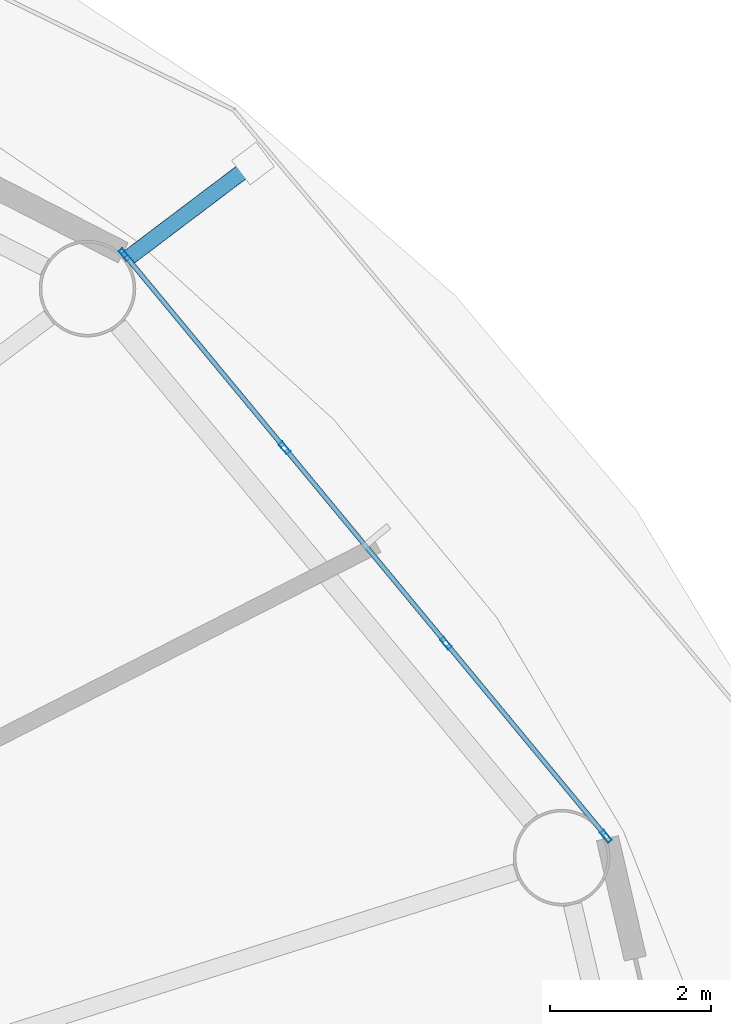
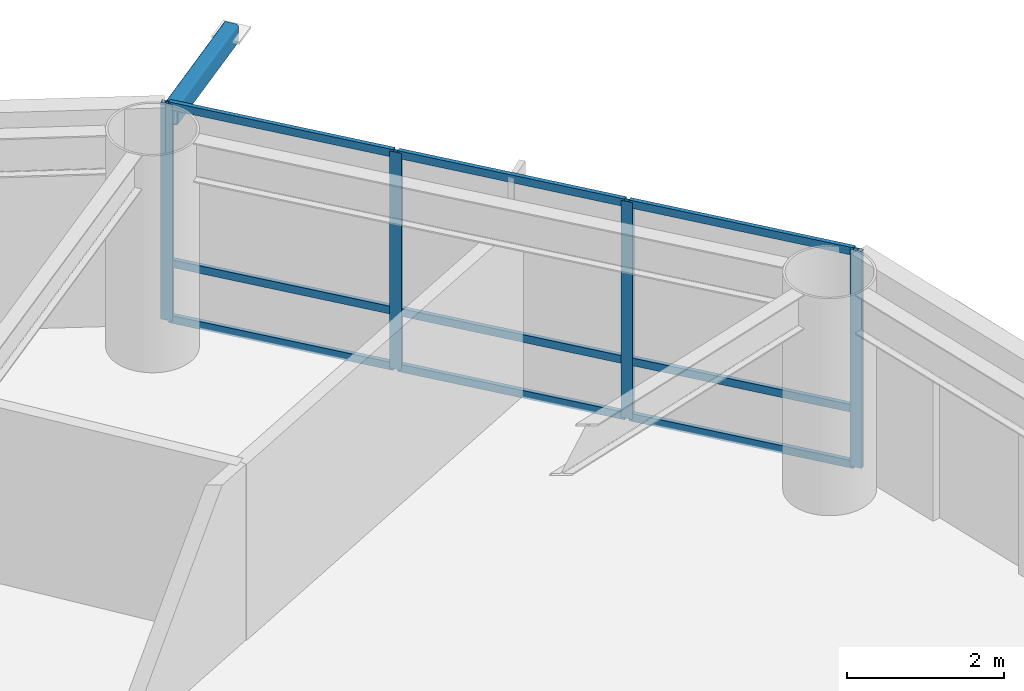
# One storey, part 12 of 24: 14 members, 1 element without a shape of its own.
"""IFC4 building model written with IfcOpenShell, lengths in metres."""

from ifc_helpers import new_model, si_unit, direction, frame, origin, origin_2d, place, context, subcontext, project, spatial, hollow_rectangle, extrude, material, layer, layer_set, material_profile, profile_set, type_object, element, aggregate, save


model = new_model("IFC4")

# Units and contexts
model_context = context("Model", 3, precision=1e-05, world=origin(), true_north=direction((0.0, 1.0)))
body_context = subcontext(model_context, "Body", "Model", "MODEL_VIEW")
ifc_project = project(units=[si_unit("LENGTHUNIT", "METRE"), si_unit("AREAUNIT", "SQUARE_METRE"), si_unit("VOLUMEUNIT", "CUBIC_METRE"), si_unit("PLANEANGLEUNIT", "RADIAN"), si_unit("MASSUNIT", "GRAM", prefix="KILO")], contexts=[model_context])

# Site, building, storey
site_placement = place(None, origin())
site = spatial("IfcSite", under=ifc_project, at=site_placement, CompositionType="ELEMENT")
building_placement = place(site_placement, origin())
building = spatial("IfcBuilding", under=site, at=building_placement, Name="Sarneth Arch Tower", CompositionType="ELEMENT")
storey_placement = place(building_placement, frame((0.0, 0.0, 112.800048828125)))
storey = spatial("IfcBuildingStorey", under=building, at=storey_placement, Name="L28", CompositionType="ELEMENT", Elevation=112.800048828125)

# Curtain wall, members
ifc_material_1 = material(Name="Anodised aluminium Type AA25 and solar-control low-e laminated IGU", Category="aluminium")
ifc_layer = layer(ifc_material_1, 0.159912109375)
ifc_layer_set = layer_set([ifc_layer], Name="Anodised aluminium Type AA25 and solar-control low-e laminated IGU")
curtain_wall_type = type_object("IfcCurtainWallType", Name="CW-HOTEL-MID", PredefinedType="NOTDEFINED", material=ifc_layer_set)
curtain_wall_placement = place(storey_placement, origin())
curtain_wall = element("IfcCurtainWall", 1, at=curtain_wall_placement, inside=storey, type_object=curtain_wall_type, Name="L28 Unitised curtain wall facet 02", PredefinedType="NOTDEFINED")
ifc_material_2 = material(Name="Anodised Aluminium 6063-T6", Category="aluminium")
ifc_material_profile_1 = material_profile(ifc_material_2, hollow_rectangle(XDim=0.06005859375, YDim=0.159912109375, WallThickness=0.00390625, at=origin_2d()), Name="AL-MULL-160x60x4")
ifc_profile_set_1 = profile_set([ifc_material_profile_1], Name="Anodised Aluminium 6063-T6")
member_type_1 = type_object("IfcMemberType", Name="CW-MULLION", PredefinedType="MULLION", material=ifc_profile_set_1)
member_1_placement = place(storey_placement, frame((74.84228515625, 50.606689453125, 0.0), z_axis=(0.0, 0.0, 1.0), x_axis=(-0.770437787363, -0.637515188684, 0.0)))
member_1 = element("IfcMember", 2, at=member_1_placement, type_object=member_type_1, Name="CW-SYS-4 mullion 1", PredefinedType="MULLION", context=body_context, shape_type="SweptSolid", body=[
    extrude(hollow_rectangle(XDim=0.06005859375, YDim=0.159912109375, WallThickness=0.00390625, at=origin_2d()), origin(), (0.0, 0.0, 1.0), 3.3798828125),
])
member_2_placement = place(storey_placement, frame((72.854248046875, 53.00927734375, 0.0), z_axis=(0.0, 0.0, 1.0), x_axis=(-0.770437787363, -0.637515188684, 0.0)))
member_2 = element("IfcMember", 3, at=member_2_placement, type_object=member_type_1, Name="CW-SYS-4 mullion 2", PredefinedType="MULLION", context=body_context, shape_type="SweptSolid", body=[
    extrude(hollow_rectangle(XDim=0.06005859375, YDim=0.159912109375, WallThickness=0.00390625, at=origin_2d()), origin(), (0.0, 0.0, 1.0), 3.3798828125),
])
member_3_placement = place(storey_placement, frame((70.84716796875, 55.434814453125, 0.0), z_axis=(0.0, 0.0, 1.0), x_axis=(-0.770437787363, -0.637515188684, 0.0)))
member_3 = element("IfcMember", 4, at=member_3_placement, type_object=member_type_1, Name="CW-SYS-4 mullion 3", PredefinedType="MULLION", context=body_context, shape_type="SweptSolid", body=[
    extrude(hollow_rectangle(XDim=0.06005859375, YDim=0.159912109375, WallThickness=0.00390625, at=origin_2d()), origin(), (0.0, 0.0, 1.0), 3.3798828125),
])
member_4_placement = place(storey_placement, frame((68.859130859375, 57.83740234375, 0.0), z_axis=(0.0, 0.0, 1.0), x_axis=(-0.770437787363, -0.637515188684, 0.0)))
member_4 = element("IfcMember", 5, at=member_4_placement, type_object=member_type_1, Name="CW-SYS-4 mullion 4", PredefinedType="MULLION", context=body_context, shape_type="SweptSolid", body=[
    extrude(hollow_rectangle(XDim=0.06005859375, YDim=0.159912109375, WallThickness=0.00390625, at=origin_2d()), origin(), (0.0, 0.0, 1.0), 3.3798828125),
])
ifc_material_3 = material(Name="Anodised Aluminium 6063-T6", Category="aluminium")
ifc_material_profile_2 = material_profile(ifc_material_3, hollow_rectangle(XDim=0.06005859375, YDim=0.1201171875, WallThickness=0.00390625, at=origin_2d()), Name="AL-TRAN-120x60x4")
ifc_profile_set_2 = profile_set([ifc_material_profile_2], Name="Anodised Aluminium 6063-T6")
member_type_2 = type_object("IfcMemberType", Name="CW-TRANSOM", PredefinedType="USERDEFINED", material=ifc_profile_set_2)
member_5_placement = place(storey_placement, frame((74.8232421875, 50.6298828125, 0.030029296875), z_axis=(-0.637566080343, 0.770395673142, 0.0), x_axis=(-0.770395673142, -0.637566080343, 0.0)))
member_5 = element("IfcMember", 6, at=member_5_placement, type_object=member_type_2, Name="CW-SYS-4 transom 1.1", ObjectType="TRANSOM", PredefinedType="USERDEFINED", context=body_context, shape_type="SweptSolid", body=[
    extrude(hollow_rectangle(XDim=0.06005859375, YDim=0.1201171875, WallThickness=0.00390625, at=origin_2d()), origin(), (0.0, 0.0, 1.0), 3.058349609375),
])
member_6_placement = place(storey_placement, frame((74.8232421875, 50.6298828125, 0.89990234375), z_axis=(-0.637566080343, 0.770395673142, 0.0), x_axis=(-0.770395673142, -0.637566080343, 0.0)))
member_6 = element("IfcMember", 7, at=member_6_placement, type_object=member_type_2, Name="CW-SYS-4 transom 1.2", ObjectType="TRANSOM", PredefinedType="USERDEFINED", context=body_context, shape_type="SweptSolid", body=[
    extrude(hollow_rectangle(XDim=0.06005859375, YDim=0.1201171875, WallThickness=0.00390625, at=origin_2d()), origin(), (0.0, 0.0, 1.0), 3.058349609375),
])
member_7_placement = place(storey_placement, frame((74.8232421875, 50.6298828125, 3.349853515625), z_axis=(-0.637566080343, 0.770395673142, 0.0), x_axis=(-0.770395673142, -0.637566080343, 0.0)))
member_7 = element("IfcMember", 8, at=member_7_placement, type_object=member_type_2, Name="CW-SYS-4 transom 1.3", ObjectType="TRANSOM", PredefinedType="USERDEFINED", context=body_context, shape_type="SweptSolid", body=[
    extrude(hollow_rectangle(XDim=0.06005859375, YDim=0.1201171875, WallThickness=0.00390625, at=origin_2d()), origin(), (0.0, 0.0, 1.0), 3.058349609375),
])
member_8_placement = place(storey_placement, frame((72.835205078125, 53.0322265625, 0.030029296875), z_axis=(-0.637536975021, 0.770419759275, 0.0), x_axis=(-0.770419759275, -0.637536975021, 0.0)))
member_8 = element("IfcMember", 9, at=member_8_placement, type_object=member_type_2, Name="CW-SYS-4 transom 2.1", ObjectType="TRANSOM", PredefinedType="USERDEFINED", context=body_context, shape_type="SweptSolid", body=[
    extrude(hollow_rectangle(XDim=0.06005859375, YDim=0.1201171875, WallThickness=0.00390625, at=origin_2d()), origin(), (0.0, 0.0, 1.0), 3.08837890625),
])
member_9_placement = place(storey_placement, frame((72.835205078125, 53.0322265625, 0.89990234375), z_axis=(-0.637536975021, 0.770419759275, 0.0), x_axis=(-0.770419759275, -0.637536975021, 0.0)))
member_9 = element("IfcMember", 10, at=member_9_placement, type_object=member_type_2, Name="CW-SYS-4 transom 2.2", ObjectType="TRANSOM", PredefinedType="USERDEFINED", context=body_context, shape_type="SweptSolid", body=[
    extrude(hollow_rectangle(XDim=0.06005859375, YDim=0.1201171875, WallThickness=0.00390625, at=origin_2d()), origin(), (0.0, 0.0, 1.0), 3.08837890625),
])
member_10_placement = place(storey_placement, frame((72.835205078125, 53.0322265625, 3.349853515625), z_axis=(-0.637536975021, 0.770419759275, 0.0), x_axis=(-0.770419759275, -0.637536975021, 0.0)))
member_10 = element("IfcMember", 11, at=member_10_placement, type_object=member_type_2, Name="CW-SYS-4 transom 2.3", ObjectType="TRANSOM", PredefinedType="USERDEFINED", context=body_context, shape_type="SweptSolid", body=[
    extrude(hollow_rectangle(XDim=0.06005859375, YDim=0.1201171875, WallThickness=0.00390625, at=origin_2d()), origin(), (0.0, 0.0, 1.0), 3.08837890625),
])
member_11_placement = place(storey_placement, frame((70.828125, 55.4580078125, 0.030029296875), z_axis=(-0.637566080343, 0.770395673142, 0.0), x_axis=(-0.770395673142, -0.637566080343, 0.0)))
member_11 = element("IfcMember", 12, at=member_11_placement, type_object=member_type_2, Name="CW-SYS-4 transom 3.1", ObjectType="TRANSOM", PredefinedType="USERDEFINED", context=body_context, shape_type="SweptSolid", body=[
    extrude(hollow_rectangle(XDim=0.06005859375, YDim=0.1201171875, WallThickness=0.00390625, at=origin_2d()), origin(), (0.0, 0.0, 1.0), 3.058349609375),
])
member_12_placement = place(storey_placement, frame((70.828125, 55.4580078125, 0.89990234375), z_axis=(-0.637566080343, 0.770395673142, 0.0), x_axis=(-0.770395673142, -0.637566080343, 0.0)))
member_12 = element("IfcMember", 13, at=member_12_placement, type_object=member_type_2, Name="CW-SYS-4 transom 3.2", ObjectType="TRANSOM", PredefinedType="USERDEFINED", context=body_context, shape_type="SweptSolid", body=[
    extrude(hollow_rectangle(XDim=0.06005859375, YDim=0.1201171875, WallThickness=0.00390625, at=origin_2d()), origin(), (0.0, 0.0, 1.0), 3.058349609375),
])
member_13_placement = place(storey_placement, frame((70.828125, 55.4580078125, 3.349853515625), z_axis=(-0.637566080343, 0.770395673142, 0.0), x_axis=(-0.770395673142, -0.637566080343, 0.0)))
member_13 = element("IfcMember", 14, at=member_13_placement, type_object=member_type_2, Name="CW-SYS-4 transom 3.3", ObjectType="TRANSOM", PredefinedType="USERDEFINED", context=body_context, shape_type="SweptSolid", body=[
    extrude(hollow_rectangle(XDim=0.06005859375, YDim=0.1201171875, WallThickness=0.00390625, at=origin_2d()), origin(), (0.0, 0.0, 1.0), 3.058349609375),
])
aggregate(curtain_wall, [member_1, member_2, member_3, member_4, member_5, member_6, member_7, member_8, member_9, member_10, member_11, member_12, member_13])

# Member
ifc_material_4 = material(Name="Steel S355", Category="steel")
ifc_material_profile_3 = material_profile(ifc_material_4, hollow_rectangle(XDim=0.199951171875, YDim=0.300048828125, WallThickness=0.012451171875, InnerFilletRadius=0.018798828125, OuterFilletRadius=0.03125, at=origin_2d()), Name="RHS300x200x12.5")
ifc_profile_set_3 = profile_set([ifc_material_profile_3], Name="Steel S355")
member_type_3 = type_object("IfcMemberType", Name="MEM-CANT-STRUT", PredefinedType="STRUT", material=ifc_profile_set_3)
member_14_placement = place(storey_placement, frame((68.876220703125, 57.776611328125, 3.219970703125), z_axis=(0.797848868008, 0.602857515354, 0.0), x_axis=(-0.602857515354, 0.797848868008, 0.0)))
element("IfcMember", 15, at=member_14_placement, inside=storey, type_object=member_type_3, Name="L28 Balcony cantilever bracket 03", PredefinedType="STRUT", context=body_context, shape_type="SweptSolid", body=[
    extrude(hollow_rectangle(XDim=0.199951171875, YDim=0.300048828125, WallThickness=0.012451171875, InnerFilletRadius=0.018798828125, OuterFilletRadius=0.03125, at=origin_2d()), origin(), (0.0, 0.0, 1.0), 1.9794921875),
])

save(model, "model.ifc")
